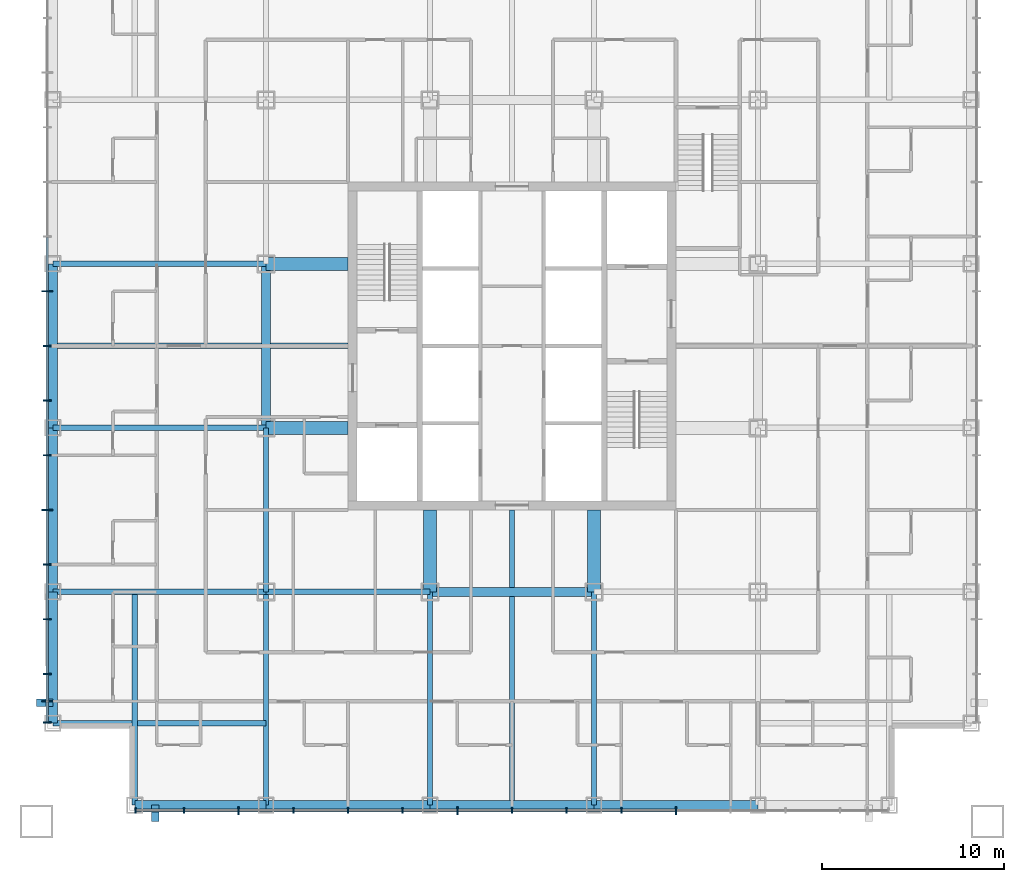
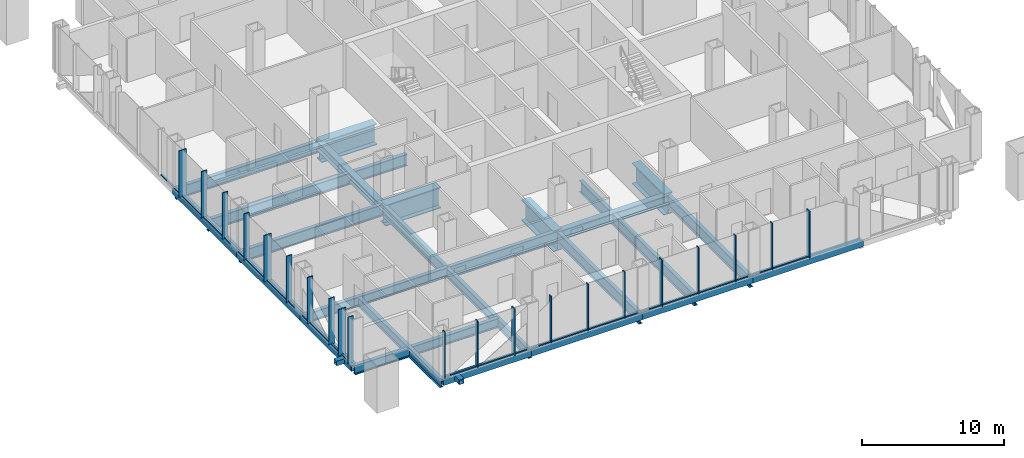
# One storey, part 2 of 13: 43 members, 25 beams, 2 elements without a shape of their own.
"""IFC4 building model written with IfcOpenShell, lengths in metres."""

import ifcopenshell
import ifcopenshell.guid

model = None  # the IFC model being written
_history = None  # IfcOwnerHistory: only IFC2X3 demands one
_inside = {}  # id of a spatial element -> (the spatial element, [elements in it])
_under = {}  # id of a project, library or spatial element -> (it, [spatial elements below it])
_declared = {}  # id of a project -> (the project, [libraries it declares])
_typed = {}  # id of a type object -> (the type object, [elements of that type])
_made_of = {}  # id of a material, layer set ... -> (it, [elements and type objects made of it])


def new_model(schema):
    """Start an empty IFC model of exactly this schema.

    Asked for "IFC4X3", IfcOpenShell would pick the latest addendum, in which some entities
    have other attributes; the version numbers below select the first issue.
    IFC2X3 requires an IfcOwnerHistory on every rooted entity: one is made here for all.
    """
    global model, _history
    if schema == "IFC4X3":
        model = ifcopenshell.file(schema_version=(4, 3, 0, 0))
    else:
        model = ifcopenshell.file(schema=schema)
    _inside.clear()
    _under.clear()
    _declared.clear()
    _typed.clear()
    _made_of.clear()
    _history = None
    if model.schema == "IFC2X3":
        org = make("IfcOrganization", Name="unknown")
        user = make(
            "IfcPersonAndOrganization",
            ThePerson=make("IfcPerson", FamilyName="unknown"),
            TheOrganization=org,
        )
        app = make(
            "IfcApplication",
            ApplicationDeveloper=org,
            Version="unknown",
            ApplicationFullName="unknown",
            ApplicationIdentifier="unknown",
        )
        _history = make(
            "IfcOwnerHistory",
            OwningUser=user,
            OwningApplication=app,
            ChangeAction="ADDED",
            CreationDate=0,
        )
    return model


def make(cls, **values):
    """One entity of the class cls with the attributes given. An attribute that is None is left unset."""
    return model.create_entity(
        cls, **{name: value for name, value in values.items() if value is not None}
    )


def rooted(cls, **values):
    """An entity with a GlobalId (a new one), such as an element, a storey or a relation."""
    return make(cls, GlobalId=ifcopenshell.guid.new(), OwnerHistory=_history, **values)


def si_unit(unit_type, name, prefix=None):
    """IfcSIUnit, for example si_unit("LENGTHUNIT", "METRE", prefix="MILLI")."""
    return make("IfcSIUnit", UnitType=unit_type, Prefix=prefix, Name=name)


def assignment(units):
    """IfcUnitAssignment: the units of a project."""
    return None if units is None else make("IfcUnitAssignment", Units=units)


def point(xyz):
    """IfcCartesianPoint."""
    return None if xyz is None else make("IfcCartesianPoint", Coordinates=xyz)


def direction(xyz):
    """IfcDirection."""
    return None if xyz is None else make("IfcDirection", DirectionRatios=xyz)


def frame(location, z_axis=None, x_axis=None):
    """IfcAxis2Placement3D, a coordinate frame: its origin and axes. An axis left out is left unset."""
    return make(
        "IfcAxis2Placement3D",
        Location=point(location),
        Axis=direction(z_axis),
        RefDirection=direction(x_axis),
    )


def frame_2d(location, x_axis=None):
    """IfcAxis2Placement2D, a coordinate frame in the plane: its origin and x axis."""
    return make(
        "IfcAxis2Placement2D", Location=point(location), RefDirection=direction(x_axis)
    )


def origin():
    """The frame at (0, 0, 0) with its axes left unset."""
    return frame((0.0, 0.0, 0.0))


def origin_2d():
    """The frame at (0, 0) in the plane with its x axis left unset."""
    return frame_2d((0.0, 0.0))


def place(relative_to, where):
    """IfcLocalPlacement: puts the frame where relative to a parent placement (None: the world)."""
    return make(
        "IfcLocalPlacement", PlacementRelTo=relative_to, RelativePlacement=where
    )


def context(
    kind, dimensions, precision=None, world=None, true_north=None, identifier=None
):
    """IfcGeometricRepresentationContext, for example the 3D "Model" context."""
    return make(
        "IfcGeometricRepresentationContext",
        ContextIdentifier=identifier,
        ContextType=kind,
        CoordinateSpaceDimension=dimensions,
        Precision=precision,
        WorldCoordinateSystem=world,
        TrueNorth=true_north,
    )


def subcontext(parent, identifier, kind, view, scale=None):
    """IfcGeometricRepresentationSubContext, for example "Body" below "Model"."""
    return make(
        "IfcGeometricRepresentationSubContext",
        ContextIdentifier=identifier,
        ContextType=kind,
        ParentContext=parent,
        TargetScale=scale,
        TargetView=view,
    )


def project(units=None, contexts=None):
    """IfcProject with its units and contexts."""
    return rooted(
        "IfcProject",
        Name="project",
        RepresentationContexts=contexts,
        UnitsInContext=assignment(units),
    )


def spatial(cls, under=None, at=None, **own):
    """A site, building, storey or space (cls), placed at a placement, below another one or the project."""
    s = rooted(cls, ObjectPlacement=at, **own)
    if under is not None:
        _under.setdefault(under.id(), (under, []))[1].append(s)
    return s


def profile(cls, at=None, kind="AREA", **sizes):
    """A parametric profile (cls). Its sizes go by their IFC names, for example OverallWidth=200.0."""
    return make(cls, ProfileType=kind, Position=at, **sizes)


def rectangle(**sizes):
    """IfcRectangleProfileDef."""
    return profile("IfcRectangleProfileDef", **sizes)


def hollow_rectangle(**sizes):
    """IfcRectangleHollowProfileDef."""
    return profile("IfcRectangleHollowProfileDef", **sizes)


def i_section(**sizes):
    """IfcIShapeProfileDef."""
    return profile("IfcIShapeProfileDef", **sizes)


def extrude(swept, where, along, depth):
    """IfcExtrudedAreaSolid: the profile swept, set in the frame where, extruded along a direction by depth."""
    return make(
        "IfcExtrudedAreaSolid",
        SweptArea=swept,
        Position=where,
        ExtrudedDirection=direction(along),
        Depth=depth,
    )


def shape(context_of_items, identifier, shape_type, items):
    """IfcShapeRepresentation: the items that make up one representation, for example the "Body"."""
    return make(
        "IfcShapeRepresentation",
        ContextOfItems=context_of_items,
        RepresentationIdentifier=identifier,
        RepresentationType=shape_type,
        Items=items,
    )


def material(Name=None, Category=None):
    """IfcMaterial."""
    return make("IfcMaterial", Name=Name, Category=Category)


def layer(
    of_material, thickness, ventilated=None, Name=None, Category=None, Priority=None
):
    """IfcMaterialLayer: one layer of a wall or slab, of a material (None: an air gap)."""
    return make(
        "IfcMaterialLayer",
        Material=of_material,
        LayerThickness=thickness,
        IsVentilated=ventilated,
        Name=Name,
        Category=Category,
        Priority=Priority,
    )


def layer_set(layers, Name=None):
    """IfcMaterialLayerSet."""
    return make("IfcMaterialLayerSet", MaterialLayers=layers, LayerSetName=Name)


def material_profile(
    of_material, cross_section, Name=None, Category=None, Priority=None
):
    """IfcMaterialProfile: a cross section and its material."""
    return make(
        "IfcMaterialProfile",
        Name=Name,
        Material=of_material,
        Profile=cross_section,
        Priority=Priority,
        Category=Category,
    )


def profile_set(profiles, Name=None, composite=None):
    """IfcMaterialProfileSet."""
    return make(
        "IfcMaterialProfileSet",
        Name=Name,
        MaterialProfiles=profiles,
        CompositeProfile=composite,
    )


def made_of(thing, what):
    """Note that an element or type object is made of a material, layer set ...; save() writes the relation."""
    if what is not None:
        _made_of.setdefault(what.id(), (what, []))[1].append(thing)
    return thing


def type_object(cls, material=None, **own):
    """A type object (cls), such as IfcWallType, which elements share."""
    return made_of(rooted(cls, **own), material)


def element(
    cls,
    number,
    at=None,
    inside=None,
    cuts=None,
    type_object=None,
    material=None,
    context=None,
    identifier="Body",
    shape_type=None,
    held_by="IfcProductDefinitionShape",
    body=None,
    shapes=None,
    **own,
):
    """One element of the class cls, such as IfcWall. Its Tag is "e" and its number.

    at: its placement. inside: the storey or other place that contains it. cuts: it is an
    opening in that element (IfcRelVoidsElement). A single representation is given by context,
    identifier, shape_type and body (its items); several are given by shapes. held_by: the class
    of the entity that holds the representations. save() writes the other relations.
    """
    e = rooted(cls, Tag="e%d" % number, ObjectPlacement=at, **own)
    if body is not None:
        shapes = [shape(context, identifier, shape_type, body)]
    if shapes is not None:
        e.Representation = make(held_by, Representations=shapes)
    if inside is not None:
        _inside.setdefault(inside.id(), (inside, []))[1].append(e)
    if cuts is not None:
        rooted(
            "IfcRelVoidsElement", RelatingBuildingElement=cuts, RelatedOpeningElement=e
        )
    if type_object is not None:
        _typed.setdefault(type_object.id(), (type_object, []))[1].append(e)
    return made_of(e, material)


def aggregate(whole, parts):
    """IfcRelAggregates: a whole, such as a stair, and the parts it consists of."""
    return rooted("IfcRelAggregates", RelatingObject=whole, RelatedObjects=parts)


def save(model, path):
    """Write the relations noted so far, then the file.

    IfcRelAggregates (storeys below a building ...), IfcRelContainedInSpatialStructure (elements
    in a storey), IfcRelDefinesByType, IfcRelAssociatesMaterial and IfcRelDeclares: one each for
    every whole, place, type object, material and project.
    """
    for whole, parts in _under.values():
        aggregate(whole, parts)
    for where, things in _inside.values():
        rooted(
            "IfcRelContainedInSpatialStructure",
            RelatedElements=things,
            RelatingStructure=where,
        )
    for kind, things in _typed.values():
        rooted("IfcRelDefinesByType", RelatedObjects=things, RelatingType=kind)
    for what, things in _made_of.values():
        rooted("IfcRelAssociatesMaterial", RelatedObjects=things, RelatingMaterial=what)
    for by, libraries in _declared.values():
        rooted("IfcRelDeclares", RelatingContext=by, RelatedDefinitions=libraries)
    model.write(path)


model = new_model("IFC4")

# Units and contexts
model_context = context("Model", 3, precision=1e-05, world=origin(), true_north=direction((0.0, 1.0)))
body_context = subcontext(model_context, "Body", "Model", "MODEL_VIEW")
ifc_project = project(units=[si_unit("LENGTHUNIT", "METRE"), si_unit("AREAUNIT", "SQUARE_METRE"), si_unit("VOLUMEUNIT", "CUBIC_METRE"), si_unit("PLANEANGLEUNIT", "RADIAN"), si_unit("MASSUNIT", "GRAM", prefix="KILO")], contexts=[model_context])

# Site, building, storey
site_placement = place(None, origin())
site = spatial("IfcSite", under=ifc_project, at=site_placement, CompositionType="ELEMENT")
building_placement = place(site_placement, origin())
building = spatial("IfcBuilding", under=site, at=building_placement, Name="Malebo Sky Hospital", CompositionType="ELEMENT")
storey_placement = place(building_placement, frame((0.0, 0.0, 35.0)))
storey = spatial("IfcBuildingStorey", under=building, at=storey_placement, Name="L07", CompositionType="ELEMENT", Elevation=35.0)

# Curtain wall, members
ifc_material_1 = material(Name="Anodised aluminium, natural silver", Category="aluminium")
ifc_layer_1 = layer(ifc_material_1, 0.25)
ifc_layer_set_1 = layer_set([ifc_layer_1], Name="WARD CURTAIN WALL EAST AND WEST")
curtain_wall_type_1 = type_object("IfcCurtainWallType", Name="WARD CURTAIN WALL EAST AND WEST", PredefinedType="NOTDEFINED", material=ifc_layer_set_1)
curtain_wall_1_placement = place(storey_placement, origin())
curtain_wall_1 = element("IfcCurtainWall", 1, at=curtain_wall_1_placement, inside=storey, type_object=curtain_wall_type_1, Name="EW curtain wall W", PredefinedType="NOTDEFINED")
ifc_material_profile_1 = material_profile(ifc_material_1, rectangle(XDim=0.14990234375, YDim=0.10009765625, at=origin_2d()), Name="ALUMINIUM TRANSOM 150x100")
ifc_profile_set_1 = profile_set([ifc_material_profile_1], Name="Anodised aluminium, natural silver")
member_type_1 = type_object("IfcMemberType", Name="ALUMINIUM TRANSOM 150x100", PredefinedType="USERDEFINED", material=ifc_profile_set_1)
member_1_placement = place(storey_placement, frame((34.5, 41.375, 0.050048828125), z_axis=(0.0, 1.0, 0.0), x_axis=(-1.0, 0.0, 0.0)))
member_1 = element("IfcMember", 2, at=member_1_placement, type_object=member_type_1, Name="Transom 1", ObjectType="TRANSOM", PredefinedType="USERDEFINED", context=body_context, shape_type="SweptSolid", body=[
    extrude(rectangle(XDim=0.14990234375, YDim=0.10009765625, at=origin_2d()), origin(), (0.0, 0.0, 1.0), 1.08740234375),
])
member_2_placement = place(storey_placement, frame((34.5, 42.53759765625, 0.050048828125), z_axis=(0.0, 1.0, 0.0), x_axis=(-1.0, 0.0, 0.0)))
member_2 = element("IfcMember", 3, at=member_2_placement, type_object=member_type_1, Name="Transom 2", ObjectType="TRANSOM", PredefinedType="USERDEFINED", context=body_context, shape_type="SweptSolid", body=[
    extrude(rectangle(XDim=0.14990234375, YDim=0.10009765625, at=origin_2d()), origin(), (0.0, 0.0, 1.0), 1.4248046875),
])
member_3_placement = place(storey_placement, frame((34.5, 44.03759765625, 0.050048828125), z_axis=(0.0, 1.0, 0.0), x_axis=(-1.0, 0.0, 0.0)))
member_3 = element("IfcMember", 4, at=member_3_placement, type_object=member_type_1, Name="Transom 3", ObjectType="TRANSOM", PredefinedType="USERDEFINED", context=body_context, shape_type="SweptSolid", body=[
    extrude(rectangle(XDim=0.14990234375, YDim=0.10009765625, at=origin_2d()), origin(), (0.0, 0.0, 1.0), 2.9248046875),
])
member_4_placement = place(storey_placement, frame((34.5, 47.03759765625, 0.050048828125), z_axis=(0.0, 1.0, 0.0), x_axis=(-1.0, 0.0, 0.0)))
member_4 = element("IfcMember", 5, at=member_4_placement, type_object=member_type_1, Name="Transom 4", ObjectType="TRANSOM", PredefinedType="USERDEFINED", context=body_context, shape_type="SweptSolid", body=[
    extrude(rectangle(XDim=0.14990234375, YDim=0.10009765625, at=origin_2d()), origin(), (0.0, 0.0, 1.0), 2.9248046875),
])
member_5_placement = place(storey_placement, frame((34.5, 50.03759765625, 0.050048828125), z_axis=(0.0, 1.0, 0.0), x_axis=(-1.0, 0.0, 0.0)))
member_5 = element("IfcMember", 6, at=member_5_placement, type_object=member_type_1, Name="Transom 5", ObjectType="TRANSOM", PredefinedType="USERDEFINED", context=body_context, shape_type="SweptSolid", body=[
    extrude(rectangle(XDim=0.14990234375, YDim=0.10009765625, at=origin_2d()), origin(), (0.0, 0.0, 1.0), 2.9248046875),
])
member_6_placement = place(storey_placement, frame((34.5, 53.03759765625, 0.050048828125), z_axis=(0.0, 1.0, 0.0), x_axis=(-1.0, 0.0, 0.0)))
member_6 = element("IfcMember", 7, at=member_6_placement, type_object=member_type_1, Name="Transom 6", ObjectType="TRANSOM", PredefinedType="USERDEFINED", context=body_context, shape_type="SweptSolid", body=[
    extrude(rectangle(XDim=0.14990234375, YDim=0.10009765625, at=origin_2d()), origin(), (0.0, 0.0, 1.0), 2.9248046875),
])
member_7_placement = place(storey_placement, frame((34.5, 56.03759765625, 0.050048828125), z_axis=(0.0, 1.0, 0.0), x_axis=(-1.0, 0.0, 0.0)))
member_7 = element("IfcMember", 8, at=member_7_placement, type_object=member_type_1, Name="Transom 7", ObjectType="TRANSOM", PredefinedType="USERDEFINED", context=body_context, shape_type="SweptSolid", body=[
    extrude(rectangle(XDim=0.14990234375, YDim=0.10009765625, at=origin_2d()), origin(), (0.0, 0.0, 1.0), 2.9248046875),
])
member_8_placement = place(storey_placement, frame((34.5, 59.03759765625, 0.050048828125), z_axis=(0.0, 1.0, 0.0), x_axis=(-1.0, 0.0, 0.0)))
member_8 = element("IfcMember", 9, at=member_8_placement, type_object=member_type_1, Name="Transom 8", ObjectType="TRANSOM", PredefinedType="USERDEFINED", context=body_context, shape_type="SweptSolid", body=[
    extrude(rectangle(XDim=0.14990234375, YDim=0.10009765625, at=origin_2d()), origin(), (0.0, 0.0, 1.0), 2.9248046875),
])
member_9_placement = place(storey_placement, frame((34.5, 62.03759765625, 0.050048828125), z_axis=(0.0, 1.0, 0.0), x_axis=(-1.0, 0.0, 0.0)))
member_9 = element("IfcMember", 10, at=member_9_placement, type_object=member_type_1, Name="Transom 9", ObjectType="TRANSOM", PredefinedType="USERDEFINED", context=body_context, shape_type="SweptSolid", body=[
    extrude(rectangle(XDim=0.14990234375, YDim=0.10009765625, at=origin_2d()), origin(), (0.0, 0.0, 1.0), 2.9248046875),
])
member_10_placement = place(storey_placement, frame((34.5, 65.03759765625, 0.050048828125), z_axis=(0.0, 1.0, 0.0), x_axis=(-1.0, 0.0, 0.0)))
member_10 = element("IfcMember", 11, at=member_10_placement, type_object=member_type_1, Name="Transom 10", ObjectType="TRANSOM", PredefinedType="USERDEFINED", context=body_context, shape_type="SweptSolid", body=[
    extrude(rectangle(XDim=0.14990234375, YDim=0.10009765625, at=origin_2d()), origin(), (0.0, 0.0, 1.0), 2.9248046875),
])

ifc_layer_2 = layer(ifc_material_1, 0.25)
ifc_layer_set_2 = layer_set([ifc_layer_2], Name="WARD CURTAIN WALL NORTH AND SOUTH")
curtain_wall_type_2 = type_object("IfcCurtainWallType", Name="WARD CURTAIN WALL NORTH AND SOUTH", PredefinedType="NOTDEFINED", material=ifc_layer_set_2)
curtain_wall_2_placement = place(storey_placement, origin())
curtain_wall_2 = element("IfcCurtainWall", 12, at=curtain_wall_2_placement, inside=storey, type_object=curtain_wall_type_2, Name="NS curtain wall S", PredefinedType="NOTDEFINED")
member_11_placement = place(storey_placement, frame((68.96240234375, 36.5, 0.050048828125), z_axis=(-1.0, 0.0, 0.0), x_axis=(0.0, -1.0, 0.0)))
member_11 = element("IfcMember", 13, at=member_11_placement, type_object=member_type_1, Name="Transom 6", ObjectType="TRANSOM", PredefinedType="USERDEFINED", context=body_context, shape_type="SweptSolid", body=[
    extrude(rectangle(XDim=0.14990234375, YDim=0.10009765625, at=origin_2d()), origin(), (0.0, 0.0, 1.0), 2.9248046875),
])
member_12_placement = place(storey_placement, frame((65.96240234375, 36.5, 0.050048828125), z_axis=(-1.0, 0.0, 0.0), x_axis=(0.0, -1.0, 0.0)))
member_12 = element("IfcMember", 14, at=member_12_placement, type_object=member_type_1, Name="Transom 7", ObjectType="TRANSOM", PredefinedType="USERDEFINED", context=body_context, shape_type="SweptSolid", body=[
    extrude(rectangle(XDim=0.14990234375, YDim=0.10009765625, at=origin_2d()), origin(), (0.0, 0.0, 1.0), 2.9248046875),
])
member_13_placement = place(storey_placement, frame((62.96240234375, 36.5, 0.050048828125), z_axis=(-1.0, 0.0, 0.0), x_axis=(0.0, -1.0, 0.0)))
member_13 = element("IfcMember", 15, at=member_13_placement, type_object=member_type_1, Name="Transom 8", ObjectType="TRANSOM", PredefinedType="USERDEFINED", context=body_context, shape_type="SweptSolid", body=[
    extrude(rectangle(XDim=0.14990234375, YDim=0.10009765625, at=origin_2d()), origin(), (0.0, 0.0, 1.0), 2.9248046875),
])
member_14_placement = place(storey_placement, frame((59.96240234375, 36.5, 0.050048828125), z_axis=(-1.0, 0.0, 0.0), x_axis=(0.0, -1.0, 0.0)))
member_14 = element("IfcMember", 16, at=member_14_placement, type_object=member_type_1, Name="Transom 9", ObjectType="TRANSOM", PredefinedType="USERDEFINED", context=body_context, shape_type="SweptSolid", body=[
    extrude(rectangle(XDim=0.14990234375, YDim=0.10009765625, at=origin_2d()), origin(), (0.0, 0.0, 1.0), 2.9248046875),
])
member_15_placement = place(storey_placement, frame((56.96240234375, 36.5, 0.050048828125), z_axis=(-1.0, 0.0, 0.0), x_axis=(0.0, -1.0, 0.0)))
member_15 = element("IfcMember", 17, at=member_15_placement, type_object=member_type_1, Name="Transom 10", ObjectType="TRANSOM", PredefinedType="USERDEFINED", context=body_context, shape_type="SweptSolid", body=[
    extrude(rectangle(XDim=0.14990234375, YDim=0.10009765625, at=origin_2d()), origin(), (0.0, 0.0, 1.0), 2.9248046875),
])
member_16_placement = place(storey_placement, frame((53.96240234375, 36.5, 0.050048828125), z_axis=(-1.0, 0.0, 0.0), x_axis=(0.0, -1.0, 0.0)))
member_16 = element("IfcMember", 18, at=member_16_placement, type_object=member_type_1, Name="Transom 11", ObjectType="TRANSOM", PredefinedType="USERDEFINED", context=body_context, shape_type="SweptSolid", body=[
    extrude(rectangle(XDim=0.14990234375, YDim=0.10009765625, at=origin_2d()), origin(), (0.0, 0.0, 1.0), 2.9248046875),
])
member_17_placement = place(storey_placement, frame((50.96240234375, 36.5, 0.050048828125), z_axis=(-1.0, 0.0, 0.0), x_axis=(0.0, -1.0, 0.0)))
member_17 = element("IfcMember", 19, at=member_17_placement, type_object=member_type_1, Name="Transom 12", ObjectType="TRANSOM", PredefinedType="USERDEFINED", context=body_context, shape_type="SweptSolid", body=[
    extrude(rectangle(XDim=0.14990234375, YDim=0.10009765625, at=origin_2d()), origin(), (0.0, 0.0, 1.0), 2.9248046875),
])
member_18_placement = place(storey_placement, frame((47.96240234375, 36.5, 0.050048828125), z_axis=(-1.0, 0.0, 0.0), x_axis=(0.0, -1.0, 0.0)))
member_18 = element("IfcMember", 20, at=member_18_placement, type_object=member_type_1, Name="Transom 13", ObjectType="TRANSOM", PredefinedType="USERDEFINED", context=body_context, shape_type="SweptSolid", body=[
    extrude(rectangle(XDim=0.14990234375, YDim=0.10009765625, at=origin_2d()), origin(), (0.0, 0.0, 1.0), 2.9248046875),
])
member_19_placement = place(storey_placement, frame((44.96240234375, 36.5, 0.050048828125), z_axis=(-1.0, 0.0, 0.0), x_axis=(0.0, -1.0, 0.0)))
member_19 = element("IfcMember", 21, at=member_19_placement, type_object=member_type_1, Name="Transom 14", ObjectType="TRANSOM", PredefinedType="USERDEFINED", context=body_context, shape_type="SweptSolid", body=[
    extrude(rectangle(XDim=0.14990234375, YDim=0.10009765625, at=origin_2d()), origin(), (0.0, 0.0, 1.0), 2.9248046875),
])
member_20_placement = place(storey_placement, frame((41.96240234375, 36.5, 0.050048828125), z_axis=(-1.0, 0.0, 0.0), x_axis=(0.0, -1.0, 0.0)))
member_20 = element("IfcMember", 22, at=member_20_placement, type_object=member_type_1, Name="Transom 15", ObjectType="TRANSOM", PredefinedType="USERDEFINED", context=body_context, shape_type="SweptSolid", body=[
    extrude(rectangle(XDim=0.14990234375, YDim=0.10009765625, at=origin_2d()), origin(), (0.0, 0.0, 1.0), 2.58740234375),
])

# Members
ifc_material_2 = material(Name="Steel S355", Category="steel")
ifc_material_profile_2 = material_profile(ifc_material_2, hollow_rectangle(XDim=0.39990234375, YDim=0.39990234375, WallThickness=0.02001953125, at=origin_2d()), Name="SHS 400x20")
ifc_profile_set_2 = profile_set([ifc_material_profile_2], Name="Steel S355")
member_type_2 = type_object("IfcMemberType", Name="BRACE STRUT SHS 400x20", PredefinedType="STRUT", material=ifc_profile_set_2)
for number, where, z_axis, x_axis, name in (
    (23, (40.425048828125, 35.89990234375, -0.39990234375), (0.0, 1.0, 0.0), (-1.0, 0.0, 0.0), "Brace strut AS1 L07"),
    (24, (33.89990234375, 42.425048828125, -0.39990234375), (1.0, 0.0, 0.0), (0.0, 1.0, 0.0), "Brace strut AW2 L07"),
):
    element("IfcMember", number, at=place(storey_placement, frame(where, z_axis=z_axis, x_axis=x_axis)), inside=storey, type_object=member_type_2, Name=name, PredefinedType="STRUT", context=body_context, shape_type="SweptSolid", body=[
        extrude(hollow_rectangle(XDim=0.39990234375, YDim=0.39990234375, WallThickness=0.02001953125, at=origin_2d()), origin(), (0.0, 0.0, 1.0), 0.900146484375),
    ])

# Member
ifc_material_profile_3 = material_profile(ifc_material_1, rectangle(XDim=0.074951171875, YDim=0.300048828125, at=origin_2d()), Name="CW1 ALUMINIUM FIN MULLION 75x300")
ifc_profile_set_3 = profile_set([ifc_material_profile_3], Name="Anodised aluminium, natural silver")
member_type_3 = type_object("IfcMemberType", Name="CW1 ALUMINIUM FIN MULLION 75x300", PredefinedType="MULLION", material=ifc_profile_set_3)
member_21_placement = place(storey_placement, frame((66.0, 36.5, 0.0), z_axis=(0.0, 0.0, 1.0), x_axis=(-1.0, 0.0, 0.0)))
member_21 = element("IfcMember", 25, at=member_21_placement, type_object=member_type_3, Name="Fin mullion 7", PredefinedType="MULLION", context=body_context, shape_type="SweptSolid", body=[
    extrude(rectangle(XDim=0.074951171875, YDim=0.300048828125, at=origin_2d()), origin(), (0.0, 0.0, 1.0), 4.0),
])

member_22_placement = place(storey_placement, frame((63.0, 36.5, 0.0), z_axis=(0.0, 0.0, 1.0), x_axis=(-1.0, 0.0, 0.0)))
member_22 = element("IfcMember", 26, at=member_22_placement, type_object=member_type_3, Name="Fin mullion 8", PredefinedType="MULLION", context=body_context, shape_type="SweptSolid", body=[
    extrude(rectangle(XDim=0.074951171875, YDim=0.300048828125, at=origin_2d()), origin(), (0.0, 0.0, 1.0), 4.0),
])

member_23_placement = place(storey_placement, frame((60.0, 36.5, 0.0), z_axis=(0.0, 0.0, 1.0), x_axis=(-1.0, 0.0, 0.0)))
member_23 = element("IfcMember", 27, at=member_23_placement, type_object=member_type_3, Name="Fin mullion 9", PredefinedType="MULLION", context=body_context, shape_type="SweptSolid", body=[
    extrude(rectangle(XDim=0.074951171875, YDim=0.300048828125, at=origin_2d()), origin(), (0.0, 0.0, 1.0), 4.0),
])

member_24_placement = place(storey_placement, frame((54.0, 36.5, 0.0), z_axis=(0.0, 0.0, 1.0), x_axis=(-1.0, 0.0, 0.0)))
member_24 = element("IfcMember", 28, at=member_24_placement, type_object=member_type_3, Name="Fin mullion 11", PredefinedType="MULLION", context=body_context, shape_type="SweptSolid", body=[
    extrude(rectangle(XDim=0.074951171875, YDim=0.300048828125, at=origin_2d()), origin(), (0.0, 0.0, 1.0), 4.0),
])

member_25_placement = place(storey_placement, frame((51.0, 36.5, 0.0), z_axis=(0.0, 0.0, 1.0), x_axis=(-1.0, 0.0, 0.0)))
member_25 = element("IfcMember", 29, at=member_25_placement, type_object=member_type_3, Name="Fin mullion 12", PredefinedType="MULLION", context=body_context, shape_type="SweptSolid", body=[
    extrude(rectangle(XDim=0.074951171875, YDim=0.300048828125, at=origin_2d()), origin(), (0.0, 0.0, 1.0), 4.0),
])

member_26_placement = place(storey_placement, frame((48.0, 36.5, 0.0), z_axis=(0.0, 0.0, 1.0), x_axis=(-1.0, 0.0, 0.0)))
member_26 = element("IfcMember", 30, at=member_26_placement, type_object=member_type_3, Name="Fin mullion 13", PredefinedType="MULLION", context=body_context, shape_type="SweptSolid", body=[
    extrude(rectangle(XDim=0.074951171875, YDim=0.300048828125, at=origin_2d()), origin(), (0.0, 0.0, 1.0), 4.0),
])

member_27_placement = place(storey_placement, frame((42.0, 36.5, 0.0), z_axis=(0.0, 0.0, 1.0), x_axis=(-1.0, 0.0, 0.0)))
member_27 = element("IfcMember", 31, at=member_27_placement, type_object=member_type_3, Name="Fin mullion 15", PredefinedType="MULLION", context=body_context, shape_type="SweptSolid", body=[
    extrude(rectangle(XDim=0.074951171875, YDim=0.300048828125, at=origin_2d()), origin(), (0.0, 0.0, 1.0), 4.0),
])

member_28_placement = place(storey_placement, frame((39.33740234375, 36.5, 0.0), z_axis=(0.0, 0.0, 1.0), x_axis=(-1.0, 0.0, 0.0)))
member_28 = element("IfcMember", 32, at=member_28_placement, type_object=member_type_3, Name="Fin mullion 16", PredefinedType="MULLION", context=body_context, shape_type="SweptSolid", body=[
    extrude(rectangle(XDim=0.074951171875, YDim=0.300048828125, at=origin_2d()), origin(), (0.0, 0.0, 1.0), 4.0),
])

ifc_material_profile_4 = material_profile(ifc_material_1, rectangle(XDim=0.074951171875, YDim=0.449951171875, at=origin_2d()), Name="CW1 ALUMINIUM FIN MULLION 75x450")
ifc_profile_set_4 = profile_set([ifc_material_profile_4], Name="Anodised aluminium, natural silver")
member_type_4 = type_object("IfcMemberType", Name="CW1 ALUMINIUM FIN MULLION 75x450", PredefinedType="MULLION", material=ifc_profile_set_4)
member_29_placement = place(storey_placement, frame((69.0, 36.5, 0.0), z_axis=(0.0, 0.0, 1.0), x_axis=(-1.0, 0.0, 0.0)))
member_29 = element("IfcMember", 33, at=member_29_placement, type_object=member_type_4, Name="Fin mullion 6", PredefinedType="MULLION", context=body_context, shape_type="SweptSolid", body=[
    extrude(rectangle(XDim=0.074951171875, YDim=0.449951171875, at=origin_2d()), origin(), (0.0, 0.0, 1.0), 4.0),
])

member_30_placement = place(storey_placement, frame((57.0, 36.5, 0.0), z_axis=(0.0, 0.0, 1.0), x_axis=(-1.0, 0.0, 0.0)))
member_30 = element("IfcMember", 34, at=member_30_placement, type_object=member_type_4, Name="Fin mullion 10", PredefinedType="MULLION", context=body_context, shape_type="SweptSolid", body=[
    extrude(rectangle(XDim=0.074951171875, YDim=0.449951171875, at=origin_2d()), origin(), (0.0, 0.0, 1.0), 4.0),
])

member_31_placement = place(storey_placement, frame((45.0, 36.5, 0.0), z_axis=(0.0, 0.0, 1.0), x_axis=(-1.0, 0.0, 0.0)))
member_31 = element("IfcMember", 35, at=member_31_placement, type_object=member_type_4, Name="Fin mullion 14", PredefinedType="MULLION", context=body_context, shape_type="SweptSolid", body=[
    extrude(rectangle(XDim=0.074951171875, YDim=0.449951171875, at=origin_2d()), origin(), (0.0, 0.0, 1.0), 4.0),
])

aggregate(curtain_wall_2, [member_29, member_21, member_22, member_23, member_30, member_24, member_25, member_26, member_31, member_27, member_28, member_11, member_12, member_13, member_14, member_15, member_16, member_17, member_18, member_19, member_20])

ifc_material_profile_5 = material_profile(ifc_material_1, rectangle(XDim=0.074951171875, YDim=0.449951171875, at=origin_2d()), Name="CW2 ALUMINIUM FIN MULLION 75x450")
ifc_profile_set_5 = profile_set([ifc_material_profile_5], Name="Anodised aluminium, natural silver")
member_type_5 = type_object("IfcMemberType", Name="CW2 ALUMINIUM FIN MULLION 75x450", PredefinedType="MULLION", material=ifc_profile_set_5)
member_32_placement = place(storey_placement, frame((34.5, 41.33740234375, 0.0), z_axis=(0.0, 0.0, 1.0), x_axis=(0.0, 1.0, 0.0)))
member_32 = element("IfcMember", 36, at=member_32_placement, type_object=member_type_5, Name="Fin mullion 1", PredefinedType="MULLION", context=body_context, shape_type="SweptSolid", body=[
    extrude(rectangle(XDim=0.074951171875, YDim=0.449951171875, at=origin_2d()), origin(), (0.0, 0.0, 1.0), 4.0),
])

member_33_placement = place(storey_placement, frame((34.5, 44.0, 0.0), z_axis=(0.0, 0.0, 1.0), x_axis=(0.0, 1.0, 0.0)))
member_33 = element("IfcMember", 37, at=member_33_placement, type_object=member_type_5, Name="Fin mullion 3", PredefinedType="MULLION", context=body_context, shape_type="SweptSolid", body=[
    extrude(rectangle(XDim=0.074951171875, YDim=0.449951171875, at=origin_2d()), origin(), (0.0, 0.0, 1.0), 4.0),
])

member_34_placement = place(storey_placement, frame((34.5, 47.0, 0.0), z_axis=(0.0, 0.0, 1.0), x_axis=(0.0, 1.0, 0.0)))
member_34 = element("IfcMember", 38, at=member_34_placement, type_object=member_type_5, Name="Fin mullion 4", PredefinedType="MULLION", context=body_context, shape_type="SweptSolid", body=[
    extrude(rectangle(XDim=0.074951171875, YDim=0.449951171875, at=origin_2d()), origin(), (0.0, 0.0, 1.0), 4.0),
])

member_35_placement = place(storey_placement, frame((34.5, 50.0, 0.0), z_axis=(0.0, 0.0, 1.0), x_axis=(0.0, 1.0, 0.0)))
member_35 = element("IfcMember", 39, at=member_35_placement, type_object=member_type_5, Name="Fin mullion 5", PredefinedType="MULLION", context=body_context, shape_type="SweptSolid", body=[
    extrude(rectangle(XDim=0.074951171875, YDim=0.449951171875, at=origin_2d()), origin(), (0.0, 0.0, 1.0), 4.0),
])

member_36_placement = place(storey_placement, frame((34.5, 56.0, 0.0), z_axis=(0.0, 0.0, 1.0), x_axis=(0.0, 1.0, 0.0)))
member_36 = element("IfcMember", 40, at=member_36_placement, type_object=member_type_5, Name="Fin mullion 7", PredefinedType="MULLION", context=body_context, shape_type="SweptSolid", body=[
    extrude(rectangle(XDim=0.074951171875, YDim=0.449951171875, at=origin_2d()), origin(), (0.0, 0.0, 1.0), 4.0),
])

member_37_placement = place(storey_placement, frame((34.5, 59.0, 0.0), z_axis=(0.0, 0.0, 1.0), x_axis=(0.0, 1.0, 0.0)))
member_37 = element("IfcMember", 41, at=member_37_placement, type_object=member_type_5, Name="Fin mullion 8", PredefinedType="MULLION", context=body_context, shape_type="SweptSolid", body=[
    extrude(rectangle(XDim=0.074951171875, YDim=0.449951171875, at=origin_2d()), origin(), (0.0, 0.0, 1.0), 4.0),
])

member_38_placement = place(storey_placement, frame((34.5, 62.0, 0.0), z_axis=(0.0, 0.0, 1.0), x_axis=(0.0, 1.0, 0.0)))
member_38 = element("IfcMember", 42, at=member_38_placement, type_object=member_type_5, Name="Fin mullion 9", PredefinedType="MULLION", context=body_context, shape_type="SweptSolid", body=[
    extrude(rectangle(XDim=0.074951171875, YDim=0.449951171875, at=origin_2d()), origin(), (0.0, 0.0, 1.0), 4.0),
])

ifc_material_profile_6 = material_profile(ifc_material_1, rectangle(XDim=0.074951171875, YDim=0.60009765625, at=origin_2d()), Name="CW2 ALUMINIUM FIN MULLION 75x600")
ifc_profile_set_6 = profile_set([ifc_material_profile_6], Name="Anodised aluminium, natural silver")
member_type_6 = type_object("IfcMemberType", Name="CW2 ALUMINIUM FIN MULLION 75x600", PredefinedType="MULLION", material=ifc_profile_set_6)
member_39_placement = place(storey_placement, frame((34.5, 42.5, 0.0), z_axis=(0.0, 0.0, 1.0), x_axis=(0.0, 1.0, 0.0)))
member_39 = element("IfcMember", 43, at=member_39_placement, type_object=member_type_6, Name="Fin mullion 2", PredefinedType="MULLION", context=body_context, shape_type="SweptSolid", body=[
    extrude(rectangle(XDim=0.074951171875, YDim=0.60009765625, at=origin_2d()), origin(), (0.0, 0.0, 1.0), 4.0),
])

member_40_placement = place(storey_placement, frame((34.5, 53.0, 0.0), z_axis=(0.0, 0.0, 1.0), x_axis=(0.0, 1.0, 0.0)))
member_40 = element("IfcMember", 44, at=member_40_placement, type_object=member_type_6, Name="Fin mullion 6", PredefinedType="MULLION", context=body_context, shape_type="SweptSolid", body=[
    extrude(rectangle(XDim=0.074951171875, YDim=0.60009765625, at=origin_2d()), origin(), (0.0, 0.0, 1.0), 4.0),
])

member_41_placement = place(storey_placement, frame((34.5, 65.0, 0.0), z_axis=(0.0, 0.0, 1.0), x_axis=(0.0, 1.0, 0.0)))
member_41 = element("IfcMember", 45, at=member_41_placement, type_object=member_type_6, Name="Fin mullion 10", PredefinedType="MULLION", context=body_context, shape_type="SweptSolid", body=[
    extrude(rectangle(XDim=0.074951171875, YDim=0.60009765625, at=origin_2d()), origin(), (0.0, 0.0, 1.0), 4.0),
])

aggregate(curtain_wall_1, [member_32, member_39, member_33, member_34, member_35, member_40, member_36, member_37, member_38, member_41, member_1, member_2, member_3, member_4, member_5, member_6, member_7, member_8, member_9, member_10])

# Beams
ifc_material_3 = material(Name="Steel S460", Category="steel")
ifc_material_profile_7 = material_profile(ifc_material_3, hollow_rectangle(XDim=0.5, YDim=0.5, WallThickness=0.030029296875, at=origin_2d()), Name="BOX 500x500x30")
ifc_profile_set_7 = profile_set([ifc_material_profile_7], Name="Steel S460")
beam_type_1 = type_object("IfcBeamType", Name="EDGE BEAM BOX 500x500x30", PredefinedType="BEAM", material=ifc_profile_set_7)
beam_1_placement = place(storey_placement, frame((34.800048828125, 41.300048828125, -0.5), z_axis=(0.0, 1.0, 0.0), x_axis=(-1.0, 0.0, 0.0)))
element("IfcBeam", 46, at=beam_1_placement, inside=storey, type_object=beam_type_1, Name="Beam 000 L07", PredefinedType="BEAM", context=body_context, shape_type="SweptSolid", body=[
    extrude(hollow_rectangle(XDim=0.5, YDim=0.5, WallThickness=0.030029296875, at=origin_2d()), origin(), (0.0, 0.0, 1.0), 7.199951171875),
])
for number, where, z_axis, x_axis, name in (
    (47, (34.800048828125, 48.5, -0.5), (0.0, 1.0, 0.0), (-1.0, 0.0, 0.0), "Beam 001 L07"),
    (48, (34.800048828125, 57.5, -0.5), (0.0, 1.0, 0.0), (-1.0, 0.0, 0.0), "Beam 002 L07"),
):
    element("IfcBeam", number, at=place(storey_placement, frame(where, z_axis=z_axis, x_axis=x_axis)), inside=storey, type_object=beam_type_1, Name=name, PredefinedType="BEAM", context=body_context, shape_type="SweptSolid", body=[
        extrude(hollow_rectangle(XDim=0.5, YDim=0.5, WallThickness=0.030029296875, at=origin_2d()), origin(), (0.0, 0.0, 1.0), 9.0),
    ])
beam_2_placement = place(storey_placement, frame((39.300048828125, 36.800048828125, -0.5), z_axis=(1.0, 0.0, 0.0), x_axis=(0.0, 1.0, 0.0)))
element("IfcBeam", 49, at=beam_2_placement, inside=storey, type_object=beam_type_1, Name="Beam 034 L07", PredefinedType="BEAM", context=body_context, shape_type="SweptSolid", body=[
    extrude(hollow_rectangle(XDim=0.5, YDim=0.5, WallThickness=0.030029296875, at=origin_2d()), origin(), (0.0, 0.0, 1.0), 7.199951171875),
])
for number, where, z_axis, x_axis, name in (
    (50, (46.5, 36.800048828125, -0.5), (1.0, 0.0, 0.0), (0.0, 1.0, 0.0), "Beam 035 L07"),
    (51, (55.5, 36.800048828125, -0.5), (1.0, 0.0, 0.0), (0.0, 1.0, 0.0), "Beam 036 L07"),
    (52, (64.5, 36.800048828125, -0.5), (1.0, 0.0, 0.0), (0.0, 1.0, 0.0), "Beam 037 L07"),
):
    element("IfcBeam", number, at=place(storey_placement, frame(where, z_axis=z_axis, x_axis=x_axis)), inside=storey, type_object=beam_type_1, Name=name, PredefinedType="BEAM", context=body_context, shape_type="SweptSolid", body=[
        extrude(hollow_rectangle(XDim=0.5, YDim=0.5, WallThickness=0.030029296875, at=origin_2d()), origin(), (0.0, 0.0, 1.0), 9.0),
    ])
ifc_material_profile_8 = material_profile(ifc_material_2, i_section(OverallWidth=0.300048828125, OverallDepth=1.0, WebThickness=0.01904296875, FlangeThickness=0.035888671875, FilletRadius=0.030029296875, at=origin_2d()), Name="HEB 1000")
ifc_profile_set_8 = profile_set([ifc_material_profile_8], Name="Steel S355")
beam_type_2 = type_object("IfcBeamType", Name="FLOOR BEAM HEB 1000", PredefinedType="BEAM", material=ifc_profile_set_8)
beam_3_placement = place(storey_placement, frame((46.5, 48.5, -0.75), z_axis=(0.0, 1.0, 0.0), x_axis=(-1.0, 0.0, 0.0)))
element("IfcBeam", 53, at=beam_3_placement, inside=storey, type_object=beam_type_2, Name="Beam 008 L07", PredefinedType="BEAM", context=body_context, shape_type="SweptSolid", body=[
    extrude(i_section(OverallWidth=0.300048828125, OverallDepth=1.0, WebThickness=0.01904296875, FlangeThickness=0.035888671875, FilletRadius=0.030029296875, at=origin_2d()), origin(), (0.0, 0.0, 1.0), 9.0),
])
beam_4_placement = place(storey_placement, frame((55.5, 36.800048828125, -0.75), z_axis=(0.0, 1.0, 0.0), x_axis=(-1.0, 0.0, 0.0)))
element("IfcBeam", 54, at=beam_4_placement, inside=storey, type_object=beam_type_2, Name="Beam 012 L07", PredefinedType="BEAM", context=body_context, shape_type="SweptSolid", body=[
    extrude(i_section(OverallWidth=0.300048828125, OverallDepth=1.0, WebThickness=0.01904296875, FlangeThickness=0.035888671875, FilletRadius=0.030029296875, at=origin_2d()), origin(), (0.0, 0.0, 1.0), 11.699951171875),
])
beam_5_placement = place(storey_placement, frame((60.0, 36.800048828125, -0.75), z_axis=(0.0, 1.0, 0.0), x_axis=(-1.0, 0.0, 0.0)))
element("IfcBeam", 55, at=beam_5_placement, inside=storey, type_object=beam_type_2, Name="Beam 016 L07", PredefinedType="BEAM", context=body_context, shape_type="SweptSolid", body=[
    extrude(i_section(OverallWidth=0.300048828125, OverallDepth=1.0, WebThickness=0.01904296875, FlangeThickness=0.035888671875, FilletRadius=0.030029296875, at=origin_2d()), origin(), (0.0, 0.0, 1.0), 16.199951171875),
])
beam_6_placement = place(storey_placement, frame((64.5, 36.800048828125, -0.75), z_axis=(0.0, 1.0, 0.0), x_axis=(-1.0, 0.0, 0.0)))
element("IfcBeam", 56, at=beam_6_placement, inside=storey, type_object=beam_type_2, Name="Beam 018 L07", PredefinedType="BEAM", context=body_context, shape_type="SweptSolid", body=[
    extrude(i_section(OverallWidth=0.300048828125, OverallDepth=1.0, WebThickness=0.01904296875, FlangeThickness=0.035888671875, FilletRadius=0.030029296875, at=origin_2d()), origin(), (0.0, 0.0, 1.0), 11.699951171875),
])
beam_7_placement = place(storey_placement, frame((46.5, 48.5, -0.75), z_axis=(1.0, 0.0, 0.0), x_axis=(0.0, 1.0, 0.0)))
element("IfcBeam", 57, at=beam_7_placement, inside=storey, type_object=beam_type_2, Name="Beam 042 L07", PredefinedType="BEAM", context=body_context, shape_type="SweptSolid", body=[
    extrude(i_section(OverallWidth=0.300048828125, OverallDepth=1.0, WebThickness=0.01904296875, FlangeThickness=0.035888671875, FilletRadius=0.030029296875, at=origin_2d()), origin(), (0.0, 0.0, 1.0), 9.0),
])
beam_8_placement = place(storey_placement, frame((34.800048828125, 57.5, -0.75), z_axis=(1.0, 0.0, 0.0), x_axis=(0.0, 1.0, 0.0)))
element("IfcBeam", 58, at=beam_8_placement, inside=storey, type_object=beam_type_2, Name="Beam 046 L07", PredefinedType="BEAM", context=body_context, shape_type="SweptSolid", body=[
    extrude(i_section(OverallWidth=0.300048828125, OverallDepth=1.0, WebThickness=0.01904296875, FlangeThickness=0.035888671875, FilletRadius=0.030029296875, at=origin_2d()), origin(), (0.0, 0.0, 1.0), 11.699951171875),
])
beam_9_placement = place(storey_placement, frame((34.800048828125, 62.0, -0.75), z_axis=(1.0, 0.0, 0.0), x_axis=(0.0, 1.0, 0.0)))
element("IfcBeam", 59, at=beam_9_placement, inside=storey, type_object=beam_type_2, Name="Beam 050 L07", PredefinedType="BEAM", context=body_context, shape_type="SweptSolid", body=[
    extrude(i_section(OverallWidth=0.300048828125, OverallDepth=1.0, WebThickness=0.01904296875, FlangeThickness=0.035888671875, FilletRadius=0.030029296875, at=origin_2d()), origin(), (0.0, 0.0, 1.0), 16.199951171875),
])
beam_10_placement = place(storey_placement, frame((34.800048828125, 66.5, -0.75), z_axis=(1.0, 0.0, 0.0), x_axis=(0.0, 1.0, 0.0)))
element("IfcBeam", 60, at=beam_10_placement, inside=storey, type_object=beam_type_2, Name="Beam 052 L07", PredefinedType="BEAM", context=body_context, shape_type="SweptSolid", body=[
    extrude(i_section(OverallWidth=0.300048828125, OverallDepth=1.0, WebThickness=0.01904296875, FlangeThickness=0.035888671875, FilletRadius=0.030029296875, at=origin_2d()), origin(), (0.0, 0.0, 1.0), 11.699951171875),
])
ifc_material_profile_9 = material_profile(ifc_material_2, i_section(OverallWidth=0.300048828125, OverallDepth=0.800048828125, WebThickness=0.017578125, FlangeThickness=0.032958984375, FilletRadius=0.030029296875, at=origin_2d()), Name="HEB 800")
ifc_profile_set_9 = profile_set([ifc_material_profile_9], Name="Steel S355")
beam_type_3 = type_object("IfcBeamType", Name="FLOOR BEAM HEB 800", PredefinedType="BEAM", material=ifc_profile_set_9)
for number, where, z_axis, x_axis, name in (
    (61, (39.300048828125, 36.800048828125, -0.64990234375), (0.0, 1.0, 0.0), (-1.0, 0.0, 0.0), "Beam 005 L07"),
    (62, (34.800048828125, 41.300048828125, -0.64990234375), (1.0, 0.0, 0.0), (0.0, 1.0, 0.0), "Beam 039 L07"),
):
    element("IfcBeam", number, at=place(storey_placement, frame(where, z_axis=z_axis, x_axis=x_axis)), inside=storey, type_object=beam_type_3, Name=name, PredefinedType="BEAM", context=body_context, shape_type="SweptSolid", body=[
        extrude(i_section(OverallWidth=0.300048828125, OverallDepth=0.800048828125, WebThickness=0.017578125, FlangeThickness=0.032958984375, FilletRadius=0.030029296875, at=origin_2d()), origin(), (0.0, 0.0, 1.0), 11.699951171875),
    ])
ifc_material_profile_10 = material_profile(ifc_material_2, i_section(OverallWidth=0.699951171875, OverallDepth=1.800048828125, WebThickness=0.034912109375, FlangeThickness=0.070068359375, at=origin_2d()), Name="PG 1800x700x35x70")
ifc_profile_set_10 = profile_set([ifc_material_profile_10], Name="Steel S355")
beam_type_4 = type_object("IfcBeamType", Name="FLOOR BEAM PG 1800x700x35x70", PredefinedType="BEAM", material=ifc_profile_set_10)
for number, where, z_axis, x_axis, name in (
    (63, (55.5, 48.5, -1.14990234375), (0.0, 1.0, 0.0), (-1.0, 0.0, 0.0), "Beam 013 L07"),
    (64, (64.5, 48.5, -1.14990234375), (0.0, 1.0, 0.0), (-1.0, 0.0, 0.0), "Beam 019 L07"),
    (65, (46.5, 57.5, -1.14990234375), (1.0, 0.0, 0.0), (0.0, 1.0, 0.0), "Beam 047 L07"),
    (66, (46.5, 66.5, -1.14990234375), (1.0, 0.0, 0.0), (0.0, 1.0, 0.0), "Beam 053 L07"),
):
    element("IfcBeam", number, at=place(storey_placement, frame(where, z_axis=z_axis, x_axis=x_axis)), inside=storey, type_object=beam_type_4, Name=name, PredefinedType="BEAM", context=body_context, shape_type="SweptSolid", body=[
        extrude(i_section(OverallWidth=0.699951171875, OverallDepth=1.800048828125, WebThickness=0.034912109375, FlangeThickness=0.070068359375, at=origin_2d()), origin(), (0.0, 0.0, 1.0), 4.5),
    ])
ifc_material_profile_11 = material_profile(ifc_material_2, i_section(OverallWidth=0.300048828125, OverallDepth=0.800048828125, WebThickness=0.017578125, FlangeThickness=0.032958984375, FilletRadius=0.030029296875, at=origin_2d()), Name="HEB 800")
ifc_profile_set_11 = profile_set([ifc_material_profile_11], Name="Steel S355")
beam_type_5 = type_object("IfcBeamType", Name="FLOOR GIRDER HEB 800", PredefinedType="BEAM", material=ifc_profile_set_11)
for number, where, z_axis, x_axis, name in (
    (67, (46.5, 36.800048828125, -0.64990234375), (0.0, 1.0, 0.0), (-1.0, 0.0, 0.0), "Beam 007 L07"),
    (68, (34.800048828125, 48.5, -0.64990234375), (1.0, 0.0, 0.0), (0.0, 1.0, 0.0), "Beam 041 L07"),
):
    element("IfcBeam", number, at=place(storey_placement, frame(where, z_axis=z_axis, x_axis=x_axis)), inside=storey, type_object=beam_type_5, Name=name, PredefinedType="BEAM", context=body_context, shape_type="SweptSolid", body=[
        extrude(i_section(OverallWidth=0.300048828125, OverallDepth=0.800048828125, WebThickness=0.017578125, FlangeThickness=0.032958984375, FilletRadius=0.030029296875, at=origin_2d()), origin(), (0.0, 0.0, 1.0), 11.699951171875),
    ])
ifc_material_profile_12 = material_profile(ifc_material_2, i_section(OverallWidth=0.5, OverallDepth=0.800048828125, WebThickness=0.030029296875, FlangeThickness=0.050048828125, at=origin_2d()), Name="PG 800x500x30x50")
ifc_profile_set_12 = profile_set([ifc_material_profile_12], Name="Steel S355")
beam_type_6 = type_object("IfcBeamType", Name="RING GIRDER PG 800x500x30x50", PredefinedType="BEAM", material=ifc_profile_set_12)
for number, where, z_axis, x_axis, name in (
    (69, (46.5, 57.5, -0.64990234375), (0.0, 1.0, 0.0), (-1.0, 0.0, 0.0), "Beam 009 L07"),
    (70, (55.5, 48.5, -0.64990234375), (1.0, 0.0, 0.0), (0.0, 1.0, 0.0), "Beam 043 L07"),
):
    element("IfcBeam", number, at=place(storey_placement, frame(where, z_axis=z_axis, x_axis=x_axis)), inside=storey, type_object=beam_type_6, Name=name, PredefinedType="BEAM", context=body_context, shape_type="SweptSolid", body=[
        extrude(i_section(OverallWidth=0.5, OverallDepth=0.800048828125, WebThickness=0.030029296875, FlangeThickness=0.050048828125, at=origin_2d()), origin(), (0.0, 0.0, 1.0), 9.0),
    ])

save(model, "model.ifc")
